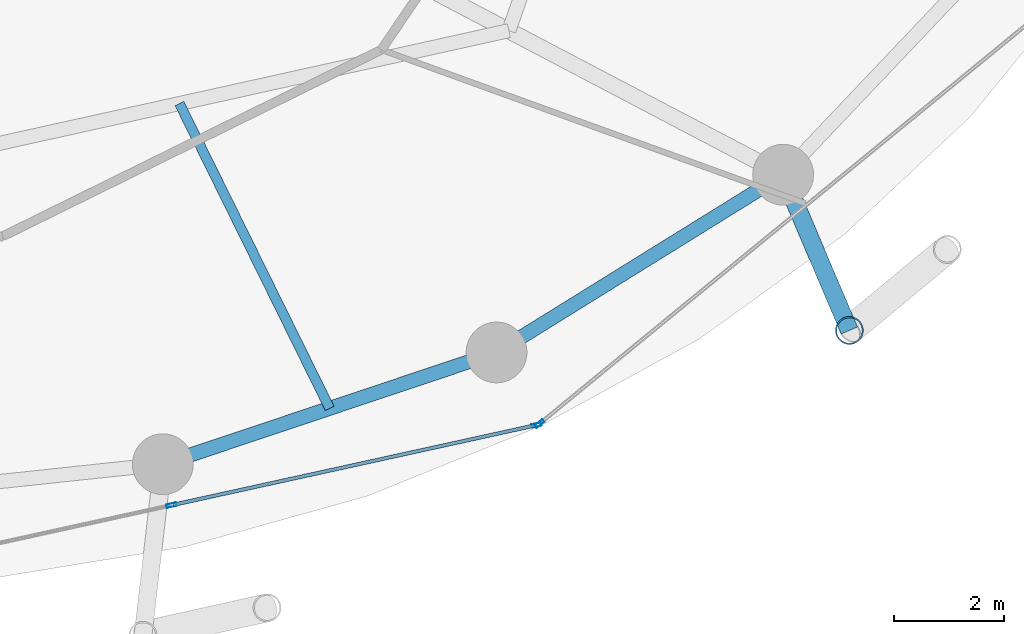
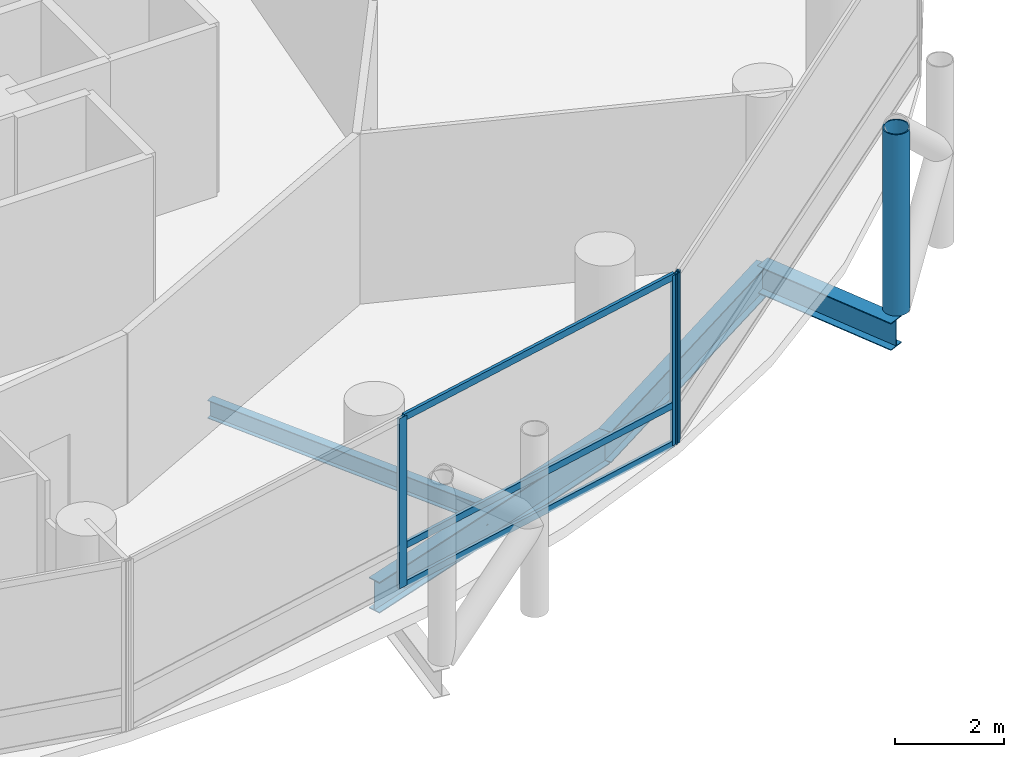
# One storey, part 8 of 25: 7 members, 4 beams, 2 elements without a shape of their own.
"""IFC4 building model written with IfcOpenShell, lengths in metres."""

from ifc_helpers import new_model, si_unit, direction, frame, origin, origin_2d, place, context, subcontext, project, spatial, hollow_rectangle, hollow_circle, i_section, extrude, material, layer, layer_set, material_profile, profile_set, type_object, element, aggregate, save


model = new_model("IFC4")

# Units and contexts
model_context = context("Model", 3, precision=1e-05, world=origin(), true_north=direction((0.0, 1.0)))
body_context = subcontext(model_context, "Body", "Model", "MODEL_VIEW")
ifc_project = project(units=[si_unit("LENGTHUNIT", "METRE"), si_unit("AREAUNIT", "SQUARE_METRE"), si_unit("VOLUMEUNIT", "CUBIC_METRE"), si_unit("PLANEANGLEUNIT", "RADIAN"), si_unit("MASSUNIT", "GRAM", prefix="KILO")], contexts=[model_context])

# Site, building, storey
site_placement = place(None, origin())
site = spatial("IfcSite", under=ifc_project, at=site_placement, CompositionType="ELEMENT")
building_placement = place(site_placement, origin())
building = spatial("IfcBuilding", under=site, at=building_placement, Name="Nuhasar Tower", CompositionType="ELEMENT")
storey_placement = place(building_placement, frame((0.0, 0.0, 57.449951171875)))
storey = spatial("IfcBuildingStorey", under=building, at=storey_placement, Name="L13", CompositionType="ELEMENT", Elevation=57.449951171875)

# Beams
ifc_material_1 = material(Name="Steel S355", Category="steel")
ifc_material_profile_1 = material_profile(ifc_material_1, i_section(OverallWidth=0.177978515625, OverallDepth=0.406005859375, WebThickness=0.0078125, FlangeThickness=0.0126953125, at=origin_2d()), Name="W16X40")
ifc_profile_set_1 = profile_set([ifc_material_profile_1], Name="Steel S355")
beam_type_1 = type_object("IfcBeamType", Name="BM-JST-W16X40", PredefinedType="JOIST", material=ifc_profile_set_1)
beam_1_placement = place(storey_placement, frame((45.783935546875, 13.77001953125, -0.452880859375), z_axis=(0.442126747458, -0.89695258469, 0.0), x_axis=(0.89695258469, 0.442126747458, 0.0)))
element("IfcBeam", 1, at=beam_1_placement, inside=storey, type_object=beam_type_1, Name="L13 Secondary Floor Joist 02", PredefinedType="JOIST", context=body_context, shape_type="SweptSolid", body=[
    extrude(i_section(OverallWidth=0.177978515625, OverallDepth=0.406005859375, WebThickness=0.0078125, FlangeThickness=0.0126953125, at=origin_2d()), origin(), (0.0, 0.0, 1.0), 6.152099609375),
])
ifc_material_profile_2 = material_profile(ifc_material_1, i_section(OverallWidth=0.256103515625, OverallDepth=0.693115234375, WebThickness=0.014404296875, FlangeThickness=0.023681640625, at=origin_2d()), Name="W27X114")
ifc_profile_set_2 = profile_set([ifc_material_profile_2], Name="Steel S355")
beam_type_2 = type_object("IfcBeamType", Name="BM-RING-W27X114", PredefinedType="SPANDREL", material=ifc_profile_set_2)
beam_2_placement = place(storey_placement, frame((45.48291015625, 7.239990234375, -0.595947265625), z_axis=(0.94826097201, 0.317491935271, 0.0), x_axis=(-0.317491935271, 0.94826097201, 0.0)))
element("IfcBeam", 2, at=beam_2_placement, inside=storey, type_object=beam_type_2, Name="L13 Perimeter Ring Spandrel 20", PredefinedType="SPANDREL", context=body_context, shape_type="SweptSolid", body=[
    extrude(i_section(OverallWidth=0.256103515625, OverallDepth=0.693115234375, WebThickness=0.014404296875, FlangeThickness=0.023681640625, at=origin_2d()), origin(), (0.0, 0.0, 1.0), 6.37158203125),
])
beam_3_placement = place(storey_placement, frame((51.52490234375, 9.262939453125, -0.595947265625), z_axis=(0.849795216549, 0.527112976439, 0.0), x_axis=(-0.527112976439, 0.849795216549, 0.0)))
element("IfcBeam", 3, at=beam_3_placement, inside=storey, type_object=beam_type_2, Name="L13 Perimeter Ring Spandrel 21", PredefinedType="SPANDREL", context=body_context, shape_type="SweptSolid", body=[
    extrude(i_section(OverallWidth=0.256103515625, OverallDepth=0.693115234375, WebThickness=0.014404296875, FlangeThickness=0.023681640625, at=origin_2d()), origin(), (0.0, 0.0, 1.0), 6.10498046875),
])
ifc_material_profile_3 = material_profile(ifc_material_1, i_section(OverallWidth=0.323974609375, OverallDepth=0.611083984375, WebThickness=0.0126953125, FlangeThickness=0.01904296875, at=origin_2d()), Name="W24X104")
ifc_profile_set_3 = profile_set([ifc_material_profile_3], Name="Steel S355")
beam_type_3 = type_object("IfcBeamType", Name="BM-TIE-W24X104", PredefinedType="BEAM", material=ifc_profile_set_3)
beam_4_placement = place(storey_placement, frame((56.712890625, 12.48095703125, -0.554931640625), z_axis=(0.391601084021, -0.920135093882, 0.0), x_axis=(0.920135093882, 0.391601084021, 0.0)))
element("IfcBeam", 4, at=beam_4_placement, inside=storey, type_object=beam_type_3, Name="L13 Exoskeleton Node Tie Beam 11", PredefinedType="BEAM", context=body_context, shape_type="SweptSolid", body=[
    extrude(i_section(OverallWidth=0.323974609375, OverallDepth=0.611083984375, WebThickness=0.0126953125, FlangeThickness=0.01904296875, at=origin_2d()), origin(), (0.0, 0.0, 1.0), 3.06494140625),
])

# Curtain wall, members
ifc_material_2 = material(Name="Aluminium 6063-T6", Category="aluminium")
ifc_layer = layer(ifc_material_2, 0.199951171875)
ifc_layer_set = layer_set([ifc_layer], Name="Aluminium 6063-T6")
curtain_wall_type = type_object("IfcCurtainWallType", Name="CW-Z1-OFF", PredefinedType="NOTDEFINED", material=ifc_layer_set)
curtain_wall_1_placement = place(storey_placement, origin())
curtain_wall_1 = element("IfcCurtainWall", 5, at=curtain_wall_1_placement, inside=storey, type_object=curtain_wall_type, Name="L13 Unitised Curtain Wall 10", PredefinedType="NOTDEFINED")
ifc_material_profile_4 = material_profile(ifc_material_2, hollow_rectangle(XDim=0.06494140625, YDim=0.179931640625, WallThickness=0.0048828125, at=origin_2d()), Name="CWM-2")
ifc_profile_set_4 = profile_set([ifc_material_profile_4], Name="Aluminium 6063-T6")
member_type_1 = type_object("IfcMemberType", Name="CW-MUL-S2", PredefinedType="MULLION", material=ifc_profile_set_4)
member_1_placement = place(storey_placement, frame((45.639892578125, 6.49755859375, 0.0), z_axis=(0.0, 0.0, 1.0), x_axis=(-0.214398737637, 0.976746221544, 0.0)))
member_1 = element("IfcMember", 6, at=member_1_placement, type_object=member_type_1, Name="CW-Z1 mullion 2", PredefinedType="MULLION", context=body_context, shape_type="SweptSolid", body=[
    extrude(hollow_rectangle(XDim=0.06494140625, YDim=0.179931640625, WallThickness=0.0048828125, at=origin_2d()), origin(), (0.0, 0.0, 1.0), 3.800048828125),
])
member_2_placement = place(storey_placement, frame((52.248291015625, 7.947998046875, 0.0), z_axis=(0.0, 0.0, 1.0), x_axis=(-0.214398737637, 0.976746221544, 0.0)))
member_2 = element("IfcMember", 7, at=member_2_placement, type_object=member_type_1, Name="CW-Z1 mullion 3", PredefinedType="MULLION", context=body_context, shape_type="SweptSolid", body=[
    extrude(hollow_rectangle(XDim=0.06494140625, YDim=0.179931640625, WallThickness=0.0048828125, at=origin_2d()), origin(), (0.0, 0.0, 1.0), 3.800048828125),
])

# Curtain wall, member
curtain_wall_2_placement = place(storey_placement, origin())
curtain_wall_2 = element("IfcCurtainWall", 8, at=curtain_wall_2_placement, inside=storey, type_object=curtain_wall_type, Name="L13 Unitised Curtain Wall 11", PredefinedType="NOTDEFINED")
member_3_placement = place(storey_placement, frame((52.30517578125, 7.9755859375, 0.0), z_axis=(0.0, 0.0, 1.0), x_axis=(-0.633744593376, 0.773542364946, 0.0)))
member_3 = element("IfcMember", 9, at=member_3_placement, type_object=member_type_1, Name="CW-Z1 mullion 1", PredefinedType="MULLION", context=body_context, shape_type="SweptSolid", body=[
    extrude(hollow_rectangle(XDim=0.06494140625, YDim=0.179931640625, WallThickness=0.0048828125, at=origin_2d()), origin(), (0.0, 0.0, 1.0), 3.800048828125),
])
aggregate(curtain_wall_2, [member_3])

# Member
ifc_material_profile_5 = material_profile(ifc_material_2, hollow_rectangle(XDim=0.06494140625, YDim=0.14990234375, WallThickness=0.00439453125, at=origin_2d()), Name="CWT-2")
ifc_profile_set_5 = profile_set([ifc_material_profile_5], Name="Aluminium 6063-T6")
member_type_2 = type_object("IfcMemberType", Name="CW-TRN-S2", PredefinedType="USERDEFINED", material=ifc_profile_set_5)
member_4_placement = place(storey_placement, frame((45.671630859375, 6.50439453125, 0.032470703125), z_axis=(0.976741923778, 0.214418316228, 0.0), x_axis=(-0.214418316228, 0.976741923778, 0.0)))
member_4 = element("IfcMember", 10, at=member_4_placement, type_object=member_type_2, Name="CW-Z1 transom 2.1", ObjectType="TRANSOM", PredefinedType="USERDEFINED", context=body_context, shape_type="SweptSolid", body=[
    extrude(hollow_rectangle(XDim=0.06494140625, YDim=0.14990234375, WallThickness=0.00439453125, at=origin_2d()), origin(), (0.0, 0.0, 1.0), 6.70068359375),
])

member_5_placement = place(storey_placement, frame((45.671630859375, 6.50439453125, 0.900146484375), z_axis=(0.976741923778, 0.214418316228, 0.0), x_axis=(-0.214418316228, 0.976741923778, 0.0)))
member_5 = element("IfcMember", 11, at=member_5_placement, type_object=member_type_2, Name="CW-Z1 transom 2.2", ObjectType="TRANSOM", PredefinedType="USERDEFINED", context=body_context, shape_type="SweptSolid", body=[
    extrude(hollow_rectangle(XDim=0.06494140625, YDim=0.14990234375, WallThickness=0.00439453125, at=origin_2d()), origin(), (0.0, 0.0, 1.0), 6.70068359375),
])

member_6_placement = place(storey_placement, frame((45.671630859375, 6.50439453125, 3.767578125), z_axis=(0.976741923778, 0.214418316228, 0.0), x_axis=(-0.214418316228, 0.976741923778, 0.0)))
member_6 = element("IfcMember", 12, at=member_6_placement, type_object=member_type_2, Name="CW-Z1 transom 2.3", ObjectType="TRANSOM", PredefinedType="USERDEFINED", context=body_context, shape_type="SweptSolid", body=[
    extrude(hollow_rectangle(XDim=0.06494140625, YDim=0.14990234375, WallThickness=0.00439453125, at=origin_2d()), origin(), (0.0, 0.0, 1.0), 6.70068359375),
])

aggregate(curtain_wall_1, [member_1, member_2, member_4, member_5, member_6])

ifc_material_3 = material(Name="Steel S460", Category="steel")
ifc_material_profile_6 = material_profile(ifc_material_3, hollow_circle(Radius=0.25390625, WallThickness=0.025390625, at=origin_2d()), Name="HSS508X25.4")
ifc_profile_set_6 = profile_set([ifc_material_profile_6], Name="Steel S460")
member_type_3 = type_object("IfcMemberType", Name="EXO-BRONZE-508", PredefinedType="BRACE", material=ifc_profile_set_6)
member_7_placement = place(storey_placement, frame((57.9130859375, 9.660888671875, 0.0), z_axis=(0.0, 0.0, 1.0), x_axis=(1.0, 0.0, 0.0)))
element("IfcMember", 13, at=member_7_placement, inside=storey, type_object=member_type_3, Name="L13 Exoskeleton Chord Column EC-11A", PredefinedType="BRACE", context=body_context, shape_type="SweptSolid", body=[
    extrude(hollow_circle(Radius=0.25390625, WallThickness=0.025390625, at=origin_2d()), origin(), (0.0, 0.0, 1.0), 4.050048828125),
])

save(model, "model.ifc")
